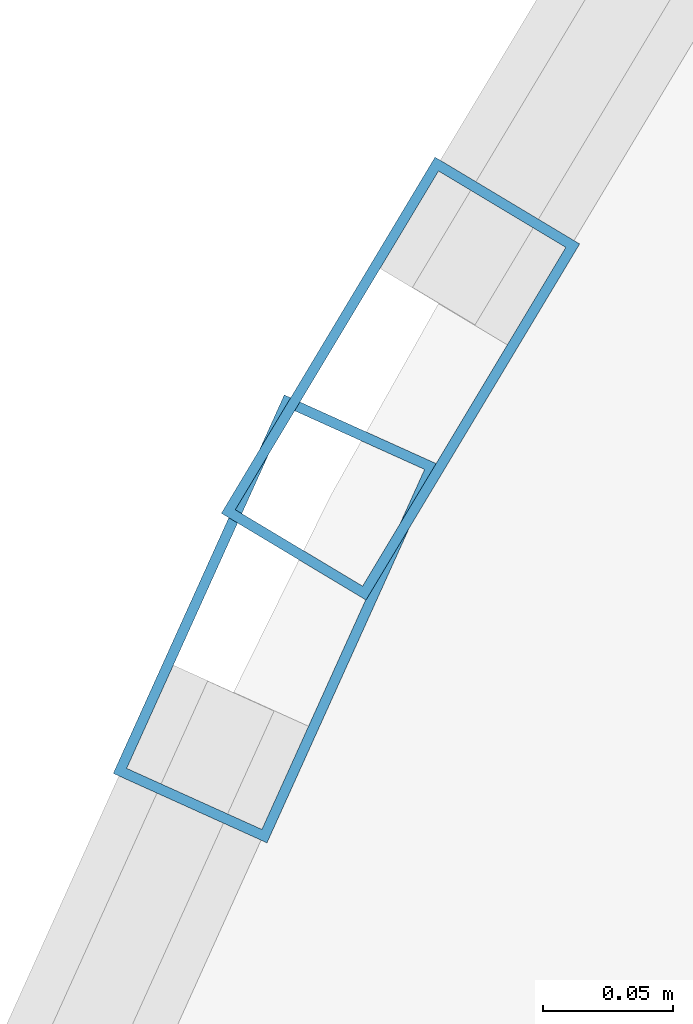
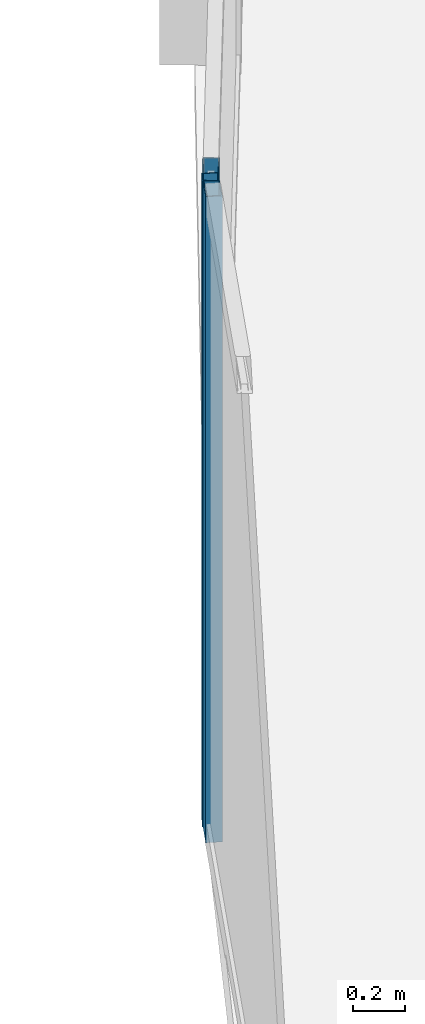
# One storey, part 11 of 34: 2 members, 2 elements without a shape of their own.
"""IFC4 building model written with IfcOpenShell, lengths in metres."""

from ifc_helpers import new_model, si_unit, direction, frame, origin, origin_2d, place, context, subcontext, project, spatial, hollow_rectangle, extrude, material, layer, layer_set, material_profile, profile_set, type_object, element, aggregate, save


model = new_model("IFC4")

# Units and contexts
model_context = context("Model", 3, precision=1e-05, world=origin(), true_north=direction((0.0, 1.0)))
body_context = subcontext(model_context, "Body", "Model", "MODEL_VIEW")
ifc_project = project(units=[si_unit("LENGTHUNIT", "METRE"), si_unit("AREAUNIT", "SQUARE_METRE"), si_unit("VOLUMEUNIT", "CUBIC_METRE"), si_unit("PLANEANGLEUNIT", "RADIAN"), si_unit("MASSUNIT", "GRAM", prefix="KILO")], contexts=[model_context])

# Site, building, storey
site_placement = place(None, origin())
site = spatial("IfcSite", under=ifc_project, at=site_placement, CompositionType="ELEMENT")
building_placement = place(site_placement, origin())
building = spatial("IfcBuilding", under=site, at=building_placement, Name="Orvanel Arch Residences", CompositionType="ELEMENT")
storey_placement = place(building_placement, frame((0.0, 0.0, 203.0)))
storey = spatial("IfcBuildingStorey", under=building, at=storey_placement, Name="L57", CompositionType="ELEMENT", Elevation=203.0)

# Curtain wall, member
ifc_material = material(Name="Bronze-anodised aluminium AA6063-T6", Category="aluminium")
ifc_layer = layer(ifc_material, 0.175048828125)
ifc_layer_set = layer_set([ifc_layer], Name="Bronze-anodised aluminium AA6063-T6")
curtain_wall_type = type_object("IfcCurtainWallType", Name="CW4-HI-SYS", PredefinedType="NOTDEFINED", material=ifc_layer_set)
curtain_wall_1_placement = place(storey_placement, origin())
curtain_wall_1 = element("IfcCurtainWall", 1, at=curtain_wall_1_placement, inside=storey, type_object=curtain_wall_type, Name="L57 CW4-HI-SYS Unitised Curtain Wall", PredefinedType="NOTDEFINED")
ifc_material_profile = material_profile(ifc_material, hollow_rectangle(XDim=0.06494140625, YDim=0.159912109375, WallThickness=0.00390625, at=origin_2d()), Name="ALU160x65x4")
ifc_profile_set = profile_set([ifc_material_profile], Name="Bronze-anodised aluminium AA6063-T6")
member_type = type_object("IfcMemberType", Name="MUL-160x65", PredefinedType="MULLION", material=ifc_profile_set)
member_1_placement = place(storey_placement, frame((15.927734375, 24.428955078125, 0.0), z_axis=(0.0, 0.0, 1.0), x_axis=(0.857492925713, -0.514495755426, 0.0)))
member_1 = element("IfcMember", 2, at=member_1_placement, type_object=member_type, Name="CW-S4 mullion 3", PredefinedType="MULLION", context=body_context, shape_type="SweptSolid", body=[
    extrude(hollow_rectangle(XDim=0.06494140625, YDim=0.159912109375, WallThickness=0.00390625, at=origin_2d()), origin(), (0.0, 0.0, 1.0), 3.06005859375),
])
aggregate(curtain_wall_1, [member_1])

curtain_wall_2_placement = place(storey_placement, origin())
curtain_wall_2 = element("IfcCurtainWall", 3, at=curtain_wall_2_placement, inside=storey, type_object=curtain_wall_type, Name="L57 CW4-HI-SYS Unitised Curtain Wall", PredefinedType="NOTDEFINED")
member_2_placement = place(storey_placement, frame((15.879638671875, 24.33642578125, 0.0), z_axis=(0.0, 0.0, 1.0), x_axis=(0.911289439148, -0.41176638777, 0.0)))
member_2 = element("IfcMember", 4, at=member_2_placement, type_object=member_type, Name="CW-S4 mullion 1", PredefinedType="MULLION", context=body_context, shape_type="SweptSolid", body=[
    extrude(hollow_rectangle(XDim=0.06494140625, YDim=0.159912109375, WallThickness=0.00390625, at=origin_2d()), origin(), (0.0, 0.0, 1.0), 3.06005859375),
])
aggregate(curtain_wall_2, [member_2])

save(model, "model.ifc")
